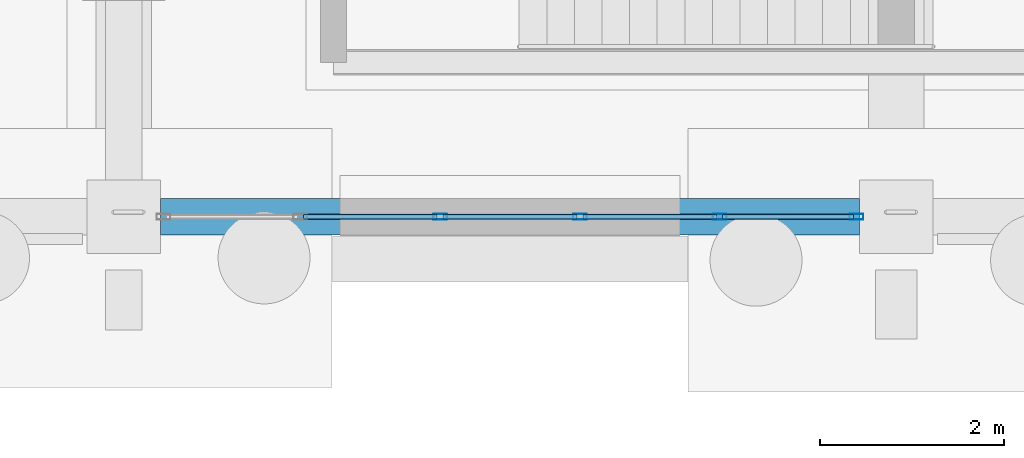
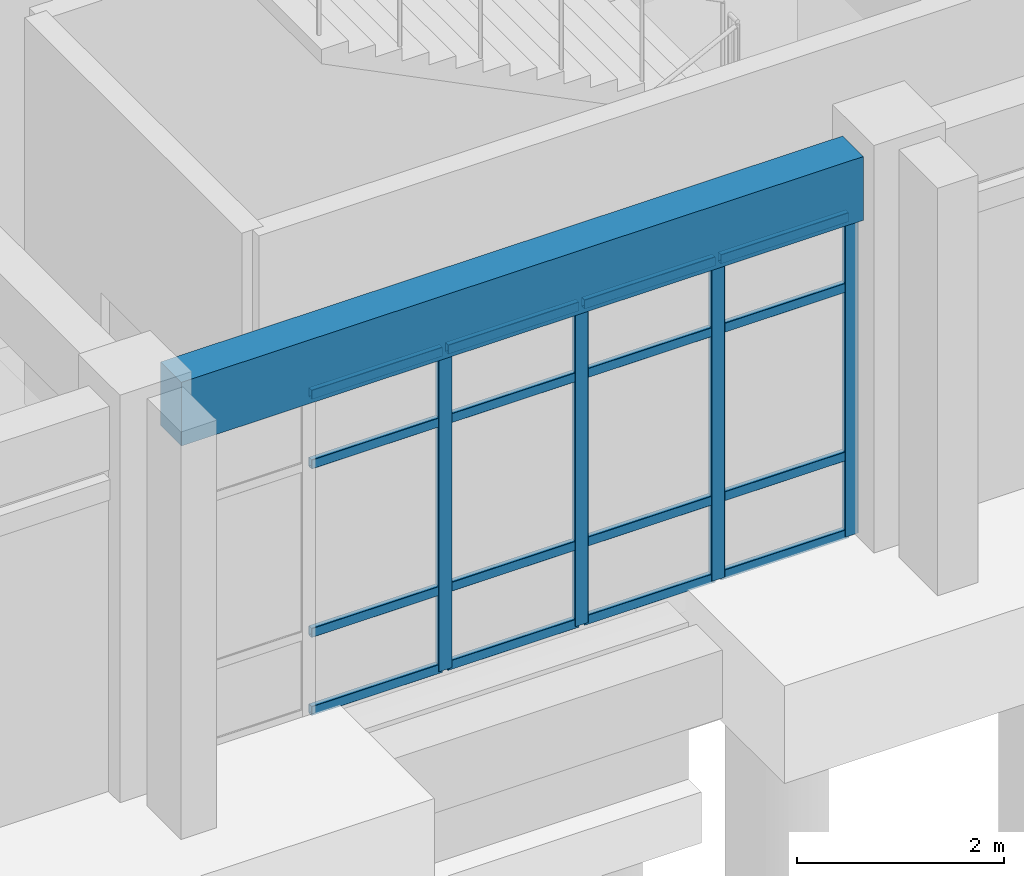
# One storey, part 25 of 111: 20 members, 1 beam, 1 element without a shape of its own.
"""IFC4 building model written with IfcOpenShell, lengths in metres."""

from ifc_helpers import new_model, si_unit, direction, frame, origin, origin_2d, place, context, subcontext, project, spatial, rectangle, hollow_rectangle, extrude, material, material_profile, profile_set, type_object, element, aggregate, save


model = new_model("IFC4")

# Units and contexts
model_context = context("Model", 3, precision=1e-05, world=origin(), true_north=direction((0.0, 1.0)))
body_context = subcontext(model_context, "Body", "Model", "MODEL_VIEW")
ifc_project = project(units=[si_unit("LENGTHUNIT", "METRE"), si_unit("AREAUNIT", "SQUARE_METRE"), si_unit("VOLUMEUNIT", "CUBIC_METRE"), si_unit("PLANEANGLEUNIT", "RADIAN"), si_unit("MASSUNIT", "GRAM", prefix="KILO")], contexts=[model_context])

# Site, building, storey
site_placement = place(None, origin())
site = spatial("IfcSite", under=ifc_project, at=site_placement, CompositionType="ELEMENT")
building_placement = place(site_placement, origin())
building = spatial("IfcBuilding", under=site, at=building_placement, Name="Canglan Escarpment Cableway Terminal", CompositionType="ELEMENT")
storey_placement = place(building_placement, frame((0.0, 0.0, 4.800048828125)))
storey = spatial("IfcBuildingStorey", under=building, at=storey_placement, Name="L01", CompositionType="ELEMENT", Elevation=4.800048828125)

# Curtain wall, members
ifc_material_1 = material(Name="Anodized bronze aluminium and Low-E double glazing", Category="aluminium")
curtain_wall_type = type_object("IfcCurtainWallType", Name="CW-BAY-7600x3775", PredefinedType="NOTDEFINED", material=ifc_material_1)
curtain_wall_placement = place(storey_placement, origin())
curtain_wall = element("IfcCurtainWall", 1, at=curtain_wall_placement, inside=storey, type_object=curtain_wall_type, Name="Classical bay-between-piers glazed curtain wall CW-09", PredefinedType="NOTDEFINED")
ifc_material_2 = material(Name="Thermally broken anodized aluminium 6063-T6", Category="aluminium")
ifc_material_profile_1 = material_profile(ifc_material_2, hollow_rectangle(XDim=0.06494140625, YDim=0.14990234375, WallThickness=0.00341796875, InnerFilletRadius=0.00341796875, OuterFilletRadius=0.007080078125, at=origin_2d()), Name="ALU-MULL 65x150x3.5")
ifc_profile_set_1 = profile_set([ifc_material_profile_1], Name="Thermally broken anodized aluminium 6063-T6")
member_type_1 = type_object("IfcMemberType", Name="CWM-02", PredefinedType="MULLION", material=ifc_profile_set_1)
member_1_placement = place(storey_placement, frame((88.840087890625, 8.0, 0.0), z_axis=(0.0, 0.0, 1.0), x_axis=(0.0, 1.0, 0.0)))
member_1 = element("IfcMember", 2, at=member_1_placement, type_object=member_type_1, Name="CW-09 mullion 3", PredefinedType="MULLION", context=body_context, shape_type="SweptSolid", body=[
    extrude(hollow_rectangle(XDim=0.06494140625, YDim=0.14990234375, WallThickness=0.00341796875, InnerFilletRadius=0.00341796875, OuterFilletRadius=0.007080078125, at=origin_2d()), origin(), (0.0, 0.0, 1.0), 3.784912109375),
])
member_2_placement = place(storey_placement, frame((90.360107421875, 8.0, 0.0), z_axis=(0.0, 0.0, 1.0), x_axis=(0.0, 1.0, 0.0)))
member_2 = element("IfcMember", 3, at=member_2_placement, type_object=member_type_1, Name="CW-09 mullion 4", PredefinedType="MULLION", context=body_context, shape_type="SweptSolid", body=[
    extrude(hollow_rectangle(XDim=0.06494140625, YDim=0.14990234375, WallThickness=0.00341796875, InnerFilletRadius=0.00341796875, OuterFilletRadius=0.007080078125, at=origin_2d()), origin(), (0.0, 0.0, 1.0), 3.784912109375),
])
member_3_placement = place(storey_placement, frame((91.8798828125, 8.0, 0.0), z_axis=(0.0, 0.0, 1.0), x_axis=(0.0, 1.0, 0.0)))
member_3 = element("IfcMember", 4, at=member_3_placement, type_object=member_type_1, Name="CW-09 mullion 5", PredefinedType="MULLION", context=body_context, shape_type="SweptSolid", body=[
    extrude(hollow_rectangle(XDim=0.06494140625, YDim=0.14990234375, WallThickness=0.00341796875, InnerFilletRadius=0.00341796875, OuterFilletRadius=0.007080078125, at=origin_2d()), origin(), (0.0, 0.0, 1.0), 3.784912109375),
])
member_4_placement = place(storey_placement, frame((93.367431640625, 8.0, 0.0), z_axis=(0.0, 0.0, 1.0), x_axis=(0.0, 1.0, 0.0)))
member_4 = element("IfcMember", 5, at=member_4_placement, type_object=member_type_1, Name="CW-09 mullion 6", PredefinedType="MULLION", context=body_context, shape_type="SweptSolid", body=[
    extrude(hollow_rectangle(XDim=0.06494140625, YDim=0.14990234375, WallThickness=0.00341796875, InnerFilletRadius=0.00341796875, OuterFilletRadius=0.007080078125, at=origin_2d()), origin(), (0.0, 0.0, 1.0), 3.784912109375),
])
ifc_material_profile_2 = material_profile(ifc_material_2, hollow_rectangle(XDim=0.06005859375, YDim=0.110107421875, WallThickness=0.0029296875, InnerFilletRadius=0.0029296875, OuterFilletRadius=0.006103515625, at=origin_2d()), Name="ALU-TRAN 60x110x3")
ifc_profile_set_2 = profile_set([ifc_material_profile_2], Name="Thermally broken anodized aluminium 6063-T6")
member_type_2 = type_object("IfcMemberType", Name="CWT-02", PredefinedType="USERDEFINED", material=ifc_profile_set_2)
member_5_placement = place(storey_placement, frame((87.3525390625, 8.0, 0.030029296875), z_axis=(1.0, 0.0, 0.0), x_axis=(0.0, 1.0, 0.0)))
member_5 = element("IfcMember", 6, at=member_5_placement, type_object=member_type_2, Name="CW-09 transom 2.1", ObjectType="TRANSOM", PredefinedType="USERDEFINED", context=body_context, shape_type="SweptSolid", body=[
    extrude(hollow_rectangle(XDim=0.06005859375, YDim=0.110107421875, WallThickness=0.0029296875, InnerFilletRadius=0.0029296875, OuterFilletRadius=0.006103515625, at=origin_2d()), origin(), (0.0, 0.0, 1.0), 1.455078125),
])
member_6_placement = place(storey_placement, frame((87.3525390625, 8.0, 0.949951171875), z_axis=(1.0, 0.0, 0.0), x_axis=(0.0, 1.0, 0.0)))
member_6 = element("IfcMember", 7, at=member_6_placement, type_object=member_type_2, Name="CW-09 transom 2.2", ObjectType="TRANSOM", PredefinedType="USERDEFINED", context=body_context, shape_type="SweptSolid", body=[
    extrude(hollow_rectangle(XDim=0.06005859375, YDim=0.110107421875, WallThickness=0.0029296875, InnerFilletRadius=0.0029296875, OuterFilletRadius=0.006103515625, at=origin_2d()), origin(), (0.0, 0.0, 1.0), 1.455078125),
])
member_7_placement = place(storey_placement, frame((87.3525390625, 8.0, 2.93505859375), z_axis=(1.0, 0.0, 0.0), x_axis=(0.0, 1.0, 0.0)))
member_7 = element("IfcMember", 8, at=member_7_placement, type_object=member_type_2, Name="CW-09 transom 2.3", ObjectType="TRANSOM", PredefinedType="USERDEFINED", context=body_context, shape_type="SweptSolid", body=[
    extrude(hollow_rectangle(XDim=0.06005859375, YDim=0.110107421875, WallThickness=0.0029296875, InnerFilletRadius=0.0029296875, OuterFilletRadius=0.006103515625, at=origin_2d()), origin(), (0.0, 0.0, 1.0), 1.455078125),
])
member_8_placement = place(storey_placement, frame((87.3525390625, 8.0, 3.7548828125), z_axis=(1.0, 0.0, 0.0), x_axis=(0.0, 1.0, 0.0)))
member_8 = element("IfcMember", 9, at=member_8_placement, type_object=member_type_2, Name="CW-09 transom 2.4", ObjectType="TRANSOM", PredefinedType="USERDEFINED", context=body_context, shape_type="SweptSolid", body=[
    extrude(hollow_rectangle(XDim=0.06005859375, YDim=0.110107421875, WallThickness=0.0029296875, InnerFilletRadius=0.0029296875, OuterFilletRadius=0.006103515625, at=origin_2d()), origin(), (0.0, 0.0, 1.0), 1.455078125),
])
member_9_placement = place(storey_placement, frame((88.87255859375, 8.0, 0.030029296875), z_axis=(1.0, 0.0, 0.0), x_axis=(0.0, 1.0, 0.0)))
member_9 = element("IfcMember", 10, at=member_9_placement, type_object=member_type_2, Name="CW-09 transom 3.1", ObjectType="TRANSOM", PredefinedType="USERDEFINED", context=body_context, shape_type="SweptSolid", body=[
    extrude(hollow_rectangle(XDim=0.06005859375, YDim=0.110107421875, WallThickness=0.0029296875, InnerFilletRadius=0.0029296875, OuterFilletRadius=0.006103515625, at=origin_2d()), origin(), (0.0, 0.0, 1.0), 1.454833984375),
])
member_10_placement = place(storey_placement, frame((88.87255859375, 8.0, 0.949951171875), z_axis=(1.0, 0.0, 0.0), x_axis=(0.0, 1.0, 0.0)))
member_10 = element("IfcMember", 11, at=member_10_placement, type_object=member_type_2, Name="CW-09 transom 3.2", ObjectType="TRANSOM", PredefinedType="USERDEFINED", context=body_context, shape_type="SweptSolid", body=[
    extrude(hollow_rectangle(XDim=0.06005859375, YDim=0.110107421875, WallThickness=0.0029296875, InnerFilletRadius=0.0029296875, OuterFilletRadius=0.006103515625, at=origin_2d()), origin(), (0.0, 0.0, 1.0), 1.454833984375),
])
member_11_placement = place(storey_placement, frame((88.87255859375, 8.0, 2.93505859375), z_axis=(1.0, 0.0, 0.0), x_axis=(0.0, 1.0, 0.0)))
member_11 = element("IfcMember", 12, at=member_11_placement, type_object=member_type_2, Name="CW-09 transom 3.3", ObjectType="TRANSOM", PredefinedType="USERDEFINED", context=body_context, shape_type="SweptSolid", body=[
    extrude(hollow_rectangle(XDim=0.06005859375, YDim=0.110107421875, WallThickness=0.0029296875, InnerFilletRadius=0.0029296875, OuterFilletRadius=0.006103515625, at=origin_2d()), origin(), (0.0, 0.0, 1.0), 1.454833984375),
])
member_12_placement = place(storey_placement, frame((88.87255859375, 8.0, 3.7548828125), z_axis=(1.0, 0.0, 0.0), x_axis=(0.0, 1.0, 0.0)))
member_12 = element("IfcMember", 13, at=member_12_placement, type_object=member_type_2, Name="CW-09 transom 3.4", ObjectType="TRANSOM", PredefinedType="USERDEFINED", context=body_context, shape_type="SweptSolid", body=[
    extrude(hollow_rectangle(XDim=0.06005859375, YDim=0.110107421875, WallThickness=0.0029296875, InnerFilletRadius=0.0029296875, OuterFilletRadius=0.006103515625, at=origin_2d()), origin(), (0.0, 0.0, 1.0), 1.454833984375),
])
member_13_placement = place(storey_placement, frame((90.392578125, 8.0, 0.030029296875), z_axis=(1.0, 0.0, 0.0), x_axis=(0.0, 1.0, 0.0)))
member_13 = element("IfcMember", 14, at=member_13_placement, type_object=member_type_2, Name="CW-09 transom 4.1", ObjectType="TRANSOM", PredefinedType="USERDEFINED", context=body_context, shape_type="SweptSolid", body=[
    extrude(hollow_rectangle(XDim=0.06005859375, YDim=0.110107421875, WallThickness=0.0029296875, InnerFilletRadius=0.0029296875, OuterFilletRadius=0.006103515625, at=origin_2d()), origin(), (0.0, 0.0, 1.0), 1.454833984375),
])
member_14_placement = place(storey_placement, frame((90.392578125, 8.0, 0.949951171875), z_axis=(1.0, 0.0, 0.0), x_axis=(0.0, 1.0, 0.0)))
member_14 = element("IfcMember", 15, at=member_14_placement, type_object=member_type_2, Name="CW-09 transom 4.2", ObjectType="TRANSOM", PredefinedType="USERDEFINED", context=body_context, shape_type="SweptSolid", body=[
    extrude(hollow_rectangle(XDim=0.06005859375, YDim=0.110107421875, WallThickness=0.0029296875, InnerFilletRadius=0.0029296875, OuterFilletRadius=0.006103515625, at=origin_2d()), origin(), (0.0, 0.0, 1.0), 1.454833984375),
])
member_15_placement = place(storey_placement, frame((90.392578125, 8.0, 2.93505859375), z_axis=(1.0, 0.0, 0.0), x_axis=(0.0, 1.0, 0.0)))
member_15 = element("IfcMember", 16, at=member_15_placement, type_object=member_type_2, Name="CW-09 transom 4.3", ObjectType="TRANSOM", PredefinedType="USERDEFINED", context=body_context, shape_type="SweptSolid", body=[
    extrude(hollow_rectangle(XDim=0.06005859375, YDim=0.110107421875, WallThickness=0.0029296875, InnerFilletRadius=0.0029296875, OuterFilletRadius=0.006103515625, at=origin_2d()), origin(), (0.0, 0.0, 1.0), 1.454833984375),
])
member_16_placement = place(storey_placement, frame((90.392578125, 8.0, 3.7548828125), z_axis=(1.0, 0.0, 0.0), x_axis=(0.0, 1.0, 0.0)))
member_16 = element("IfcMember", 17, at=member_16_placement, type_object=member_type_2, Name="CW-09 transom 4.4", ObjectType="TRANSOM", PredefinedType="USERDEFINED", context=body_context, shape_type="SweptSolid", body=[
    extrude(hollow_rectangle(XDim=0.06005859375, YDim=0.110107421875, WallThickness=0.0029296875, InnerFilletRadius=0.0029296875, OuterFilletRadius=0.006103515625, at=origin_2d()), origin(), (0.0, 0.0, 1.0), 1.454833984375),
])
member_17_placement = place(storey_placement, frame((91.91259765625, 8.0, 0.030029296875), z_axis=(1.0, 0.0, 0.0), x_axis=(0.0, 1.0, 0.0)))
member_17 = element("IfcMember", 18, at=member_17_placement, type_object=member_type_2, Name="CW-09 transom 5.1", ObjectType="TRANSOM", PredefinedType="USERDEFINED", context=body_context, shape_type="SweptSolid", body=[
    extrude(hollow_rectangle(XDim=0.06005859375, YDim=0.110107421875, WallThickness=0.0029296875, InnerFilletRadius=0.0029296875, OuterFilletRadius=0.006103515625, at=origin_2d()), origin(), (0.0, 0.0, 1.0), 1.42236328125),
])
member_18_placement = place(storey_placement, frame((91.91259765625, 8.0, 0.949951171875), z_axis=(1.0, 0.0, 0.0), x_axis=(0.0, 1.0, 0.0)))
member_18 = element("IfcMember", 19, at=member_18_placement, type_object=member_type_2, Name="CW-09 transom 5.2", ObjectType="TRANSOM", PredefinedType="USERDEFINED", context=body_context, shape_type="SweptSolid", body=[
    extrude(hollow_rectangle(XDim=0.06005859375, YDim=0.110107421875, WallThickness=0.0029296875, InnerFilletRadius=0.0029296875, OuterFilletRadius=0.006103515625, at=origin_2d()), origin(), (0.0, 0.0, 1.0), 1.42236328125),
])
member_19_placement = place(storey_placement, frame((91.91259765625, 8.0, 2.93505859375), z_axis=(1.0, 0.0, 0.0), x_axis=(0.0, 1.0, 0.0)))
member_19 = element("IfcMember", 20, at=member_19_placement, type_object=member_type_2, Name="CW-09 transom 5.3", ObjectType="TRANSOM", PredefinedType="USERDEFINED", context=body_context, shape_type="SweptSolid", body=[
    extrude(hollow_rectangle(XDim=0.06005859375, YDim=0.110107421875, WallThickness=0.0029296875, InnerFilletRadius=0.0029296875, OuterFilletRadius=0.006103515625, at=origin_2d()), origin(), (0.0, 0.0, 1.0), 1.42236328125),
])
member_20_placement = place(storey_placement, frame((91.91259765625, 8.0, 3.7548828125), z_axis=(1.0, 0.0, 0.0), x_axis=(0.0, 1.0, 0.0)))
member_20 = element("IfcMember", 21, at=member_20_placement, type_object=member_type_2, Name="CW-09 transom 5.4", ObjectType="TRANSOM", PredefinedType="USERDEFINED", context=body_context, shape_type="SweptSolid", body=[
    extrude(hollow_rectangle(XDim=0.06005859375, YDim=0.110107421875, WallThickness=0.0029296875, InnerFilletRadius=0.0029296875, OuterFilletRadius=0.006103515625, at=origin_2d()), origin(), (0.0, 0.0, 1.0), 1.42236328125),
])
aggregate(curtain_wall, [member_1, member_2, member_3, member_4, member_5, member_6, member_7, member_8, member_9, member_10, member_11, member_12, member_13, member_14, member_15, member_16, member_17, member_18, member_19, member_20])

# Beam
ifc_material_3 = material(Name="Concrete C40", Category="concrete")
ifc_material_profile_3 = material_profile(ifc_material_3, rectangle(XDim=0.39990234375, YDim=0.75, at=origin_2d()), Name="RC 400x750")
ifc_profile_set_3 = profile_set([ifc_material_profile_3], Name="Concrete C40")
beam_type = type_object("IfcBeamType", Name="SP-RC400x750", PredefinedType="SPANDREL", material=ifc_profile_set_3)
beam_placement = place(storey_placement, frame((85.800048828125, 8.0, 4.175048828125), z_axis=(1.0, 0.0, 0.0), x_axis=(0.0, 1.0, 0.0)))
element("IfcBeam", 22, at=beam_placement, inside=storey, type_object=beam_type, Name="Primary structural girder SP-01", PredefinedType="SPANDREL", context=body_context, shape_type="SweptSolid", body=[
    extrude(rectangle(XDim=0.39990234375, YDim=0.75, at=origin_2d()), origin(), (0.0, 0.0, 1.0), 7.599853515625),
])

save(model, "model.ifc")
